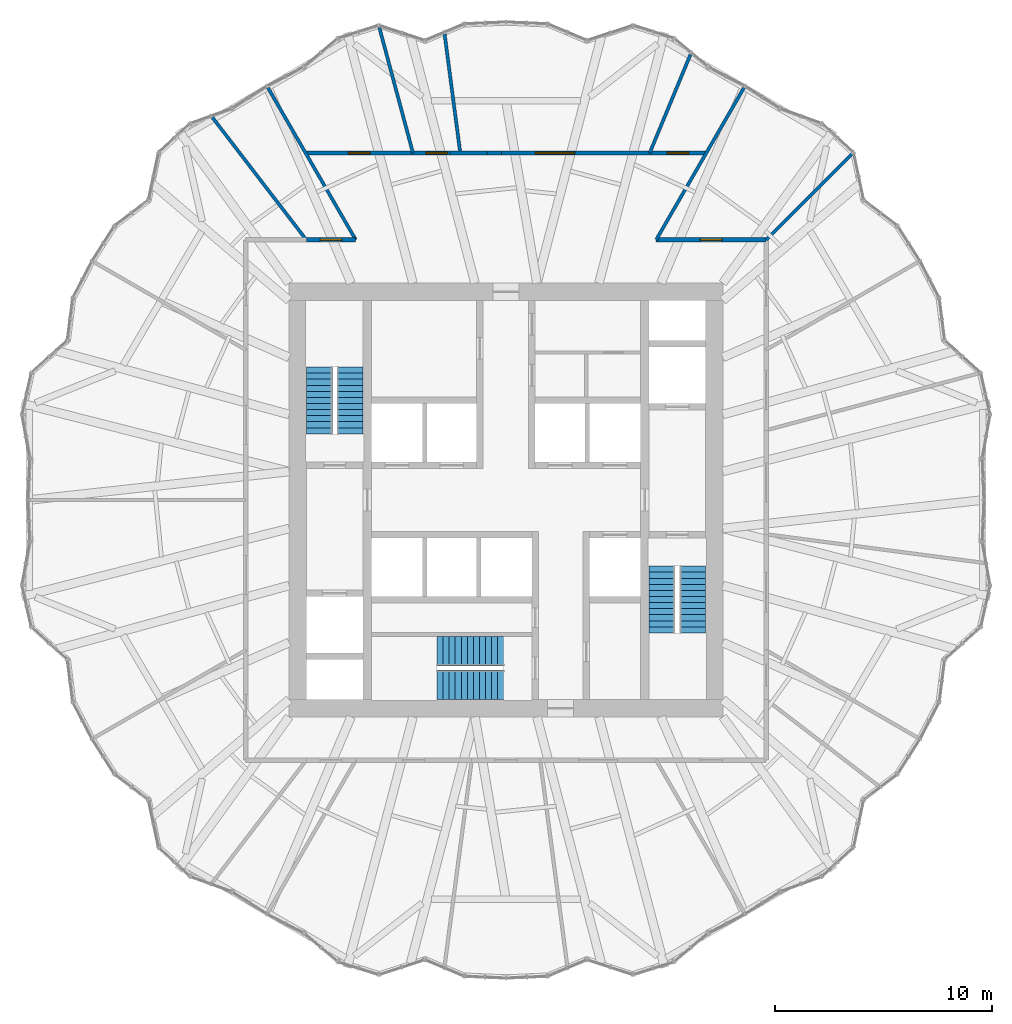
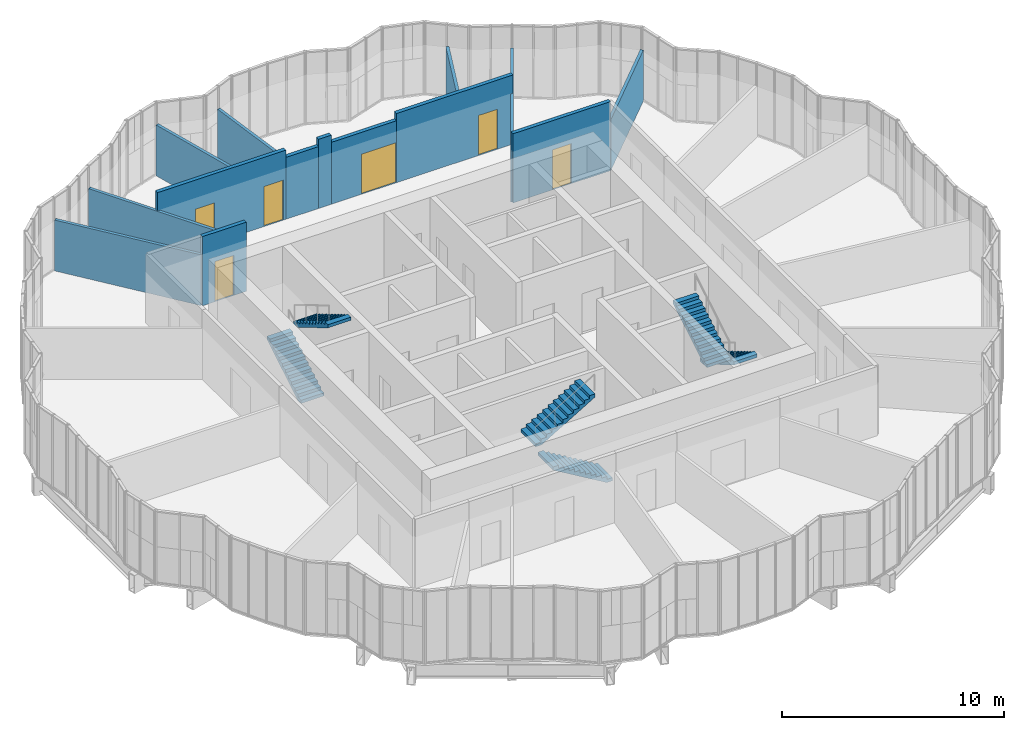
# One storey, part 22 of 23: 14 walls, 6 doors, 6 stair flights, 6 openings, 3 elements without a shape of their own.
"""IFC4 building model written with IfcOpenShell, lengths in metres."""

from ifc_helpers import new_model, si_unit, direction, frame, frame_2d, origin, place, context, subcontext, project, spatial, polyline, rectangle, outline, extrude, material, layer, layer_set, type_object, element, fill, aggregate, save


model = new_model("IFC4")

# Units and contexts
model_context = context("Model", 3, precision=1e-05, world=origin(), true_north=direction((0.0, 1.0)))
body_context = subcontext(model_context, "Body", "Model", "MODEL_VIEW")
ifc_project = project(units=[si_unit("LENGTHUNIT", "METRE"), si_unit("AREAUNIT", "SQUARE_METRE"), si_unit("VOLUMEUNIT", "CUBIC_METRE"), si_unit("PLANEANGLEUNIT", "RADIAN"), si_unit("MASSUNIT", "GRAM", prefix="KILO")], contexts=[model_context])

# Site, building, storey
site_placement = place(None, origin())
site = spatial("IfcSite", under=ifc_project, at=site_placement, CompositionType="ELEMENT")
building_placement = place(site_placement, origin())
building = spatial("IfcBuilding", under=site, at=building_placement, Name="Golbaran Civic Tower", CompositionType="ELEMENT")
storey_placement = place(building_placement, frame((0.0, 0.0, 33.0)))
storey = spatial("IfcBuildingStorey", under=building, at=storey_placement, Name="L07", CompositionType="ELEMENT", Elevation=33.0)

# Wall, opening, door
ifc_material_1 = material(Name="Gypsum board on steel studs, fire-rated", Category="steel")
ifc_layer_1 = layer(ifc_material_1, 0.199951171875, Name="Gypsum board on steel studs, fire-rated")
ifc_layer_set_1 = layer_set([ifc_layer_1], Name="Gypsum board on steel studs, fire-rated")
wall_type_1 = type_object("IfcWallType", Name="CORRIDOR WALL 200", PredefinedType="PARTITIONING", material=ifc_layer_set_1)
wall_1_placement = place(storey_placement, frame((12.0, 12.0, 0.0), z_axis=(0.0, 0.0, 1.0), x_axis=(-1.0, 0.0, 0.0)))
wall_1 = element("IfcWall", 1, at=wall_1_placement, inside=storey, type_object=wall_type_1, Name="Corridor wall L07", PredefinedType="PARTITIONING", context=body_context, shape_type="SweptSolid", body=[
    extrude(rectangle(XDim=5.07177734375, YDim=0.199951171875, at=frame_2d((2.535888671875, 0.0))), origin(), (0.0, 0.0, 1.0), 3.800048828125),
])
opening_1_placement = place(wall_1_placement, frame((2.035888671875, 0.0, 0.0)))
opening_1 = element("IfcOpeningElement", 2, at=opening_1_placement, cuts=wall_1, Name="Opening L07.09", PredefinedType="OPENING", context=body_context, shape_type="SweptSolid", body=[
    extrude(rectangle(XDim=1.0, YDim=2.199951171875, at=frame_2d((0.5, 1.10009765625))), frame((0.0, 0.10986328125, 0.0), z_axis=(0.0, -1.0, 0.0), x_axis=(1.0, 0.0, 0.0)), (0.0, 0.0, 1.0), 0.219970703125),
])
ifc_material_2 = material(Name="Timber door set in steel frame", Category="steel")
door_type_1 = type_object("IfcDoorType", Name="OFFICE DOOR 1000x2200", OperationType="SINGLE_SWING_LEFT", PredefinedType="DOOR", material=ifc_material_2)
door_1_placement = place(opening_1_placement, origin())
door_1 = element("IfcDoor", 3, at=door_1_placement, inside=storey, type_object=door_type_1, Name="Pantry door L07", OperationType="SINGLE_SWING_RIGHT", OverallHeight=2.199951171875, OverallWidth=1.0, PredefinedType="DOOR", context=body_context, shape_type="SweptSolid", body=[
    extrude(rectangle(XDim=1.0, YDim=2.199951171875, at=frame_2d((0.5, 1.10009765625))), frame((0.0, 0.02490234375, 0.0), z_axis=(0.0, -1.0, 0.0), x_axis=(1.0, 0.0, 0.0)), (0.0, 0.0, 1.0), 0.050048828125),
])
fill(opening_1, door_1)

wall_2_placement = place(storey_placement, frame((-6.92822265625, 12.0, 0.0), z_axis=(0.0, 0.0, 1.0), x_axis=(-1.0, 0.0, 0.0)))
wall_2 = element("IfcWall", 4, at=wall_2_placement, inside=storey, type_object=wall_type_1, Name="Corridor wall L07", PredefinedType="PARTITIONING", context=body_context, shape_type="SweptSolid", body=[
    extrude(rectangle(XDim=2.27978515625, YDim=0.199951171875, at=frame_2d((1.139892578125, 0.0))), origin(), (0.0, 0.0, 1.0), 3.800048828125),
])
opening_2_placement = place(wall_2_placement, frame((0.639892578125, 0.0, 0.0)))
opening_2 = element("IfcOpeningElement", 5, at=opening_2_placement, cuts=wall_2, Name="Opening L07.10", PredefinedType="OPENING", context=body_context, shape_type="SweptSolid", body=[
    extrude(rectangle(XDim=1.0, YDim=2.199951171875, at=frame_2d((0.5, 1.10009765625))), frame((0.0, 0.10986328125, 0.0), z_axis=(0.0, -1.0, 0.0), x_axis=(1.0, 0.0, 0.0)), (0.0, 0.0, 1.0), 0.219970703125),
])
door_2_placement = place(opening_2_placement, origin())
door_2 = element("IfcDoor", 6, at=door_2_placement, inside=storey, type_object=door_type_1, Name="Store door L07", OperationType="SINGLE_SWING_RIGHT", OverallHeight=2.199951171875, OverallWidth=1.0, PredefinedType="DOOR", context=body_context, shape_type="SweptSolid", body=[
    extrude(rectangle(XDim=1.0, YDim=2.199951171875, at=frame_2d((0.5, 1.10009765625))), frame((0.0, 0.02490234375, 0.0), z_axis=(0.0, -1.0, 0.0), x_axis=(1.0, 0.0, 0.0)), (0.0, 0.0, 1.0), 0.050048828125),
])
fill(opening_2, door_2)

ifc_material_3 = material(Name="Gypsum board on steel studs, fire-rated, glazed panels", Category="steel")
ifc_layer_2 = layer(ifc_material_3, 0.199951171875, Name="Gypsum board on steel studs, fire-rated, glazed panels")
ifc_layer_set_2 = layer_set([ifc_layer_2], Name="Gypsum board on steel studs, fire-rated, glazed panels")
wall_type_2 = type_object("IfcWallType", Name="GALLERY WALL 200", PredefinedType="PARTITIONING", material=ifc_layer_set_2)
wall_3_placement = place(storey_placement, frame((9.237548828125, 16.0, 0.0), z_axis=(0.0, 0.0, 1.0), x_axis=(-1.0, 0.0, 0.0)))
wall_3 = element("IfcWall", 7, at=wall_3_placement, inside=storey, type_object=wall_type_2, Name="Gallery wall L07", PredefinedType="PARTITIONING", context=body_context, shape_type="SweptSolid", body=[
    extrude(rectangle(XDim=6.05712890625, YDim=0.199951171875, at=frame_2d((3.028564453125, 0.0))), origin(), (0.0, 0.0, 1.0), 3.800048828125),
])
opening_3_placement = place(wall_3_placement, frame((0.80517578125, 0.0, 0.0)))
opening_3 = element("IfcOpeningElement", 8, at=opening_3_placement, cuts=wall_3, Name="Opening L07.01", PredefinedType="OPENING", context=body_context, shape_type="SweptSolid", body=[
    extrude(rectangle(XDim=1.0, YDim=2.199951171875, at=frame_2d((0.5, 1.10009765625))), frame((0.0, 0.10986328125, 0.0), z_axis=(0.0, -1.0, 0.0), x_axis=(1.0, 0.0, 0.0)), (0.0, 0.0, 1.0), 0.219970703125),
])
door_3_placement = place(opening_3_placement, origin())
door_3 = element("IfcDoor", 9, at=door_3_placement, inside=storey, type_object=door_type_1, Name="Office door L07", OperationType="SINGLE_SWING_LEFT", OverallHeight=2.199951171875, OverallWidth=1.0, PredefinedType="DOOR", context=body_context, shape_type="SweptSolid", body=[
    extrude(rectangle(XDim=1.0, YDim=2.199951171875, at=frame_2d((0.5, 1.10009765625))), frame((0.0, 0.02490234375, 0.0), z_axis=(0.0, -1.0, 0.0), x_axis=(1.0, 0.0, 0.0)), (0.0, 0.0, 1.0), 0.050048828125),
])
fill(opening_3, door_3)

wall_4_placement = place(storey_placement, frame((3.180419921875, 16.0, 0.0), z_axis=(0.0, 0.0, 1.0), x_axis=(-1.0, 0.0, 0.0)))
wall_4 = element("IfcWall", 10, at=wall_4_placement, inside=storey, type_object=wall_type_2, Name="Gallery wall L07 (part 2)", PredefinedType="PARTITIONING", context=body_context, shape_type="SweptSolid", body=[
    extrude(rectangle(XDim=3.37890625, YDim=0.199951171875, at=frame_2d((1.689453125, 0.0))), origin(), (0.0, 0.0, 1.0), 3.39990234375),
])
opening_4_placement = place(wall_4_placement, frame((0.02001953125, 0.0, 0.0)))
opening_4 = element("IfcOpeningElement", 11, at=opening_4_placement, cuts=wall_4, Name="Opening L07.02", PredefinedType="OPENING", context=body_context, shape_type="SweptSolid", body=[
    extrude(rectangle(XDim=1.800048828125, YDim=2.199951171875, at=frame_2d((0.89990234375, 1.10009765625))), frame((0.0, 0.10986328125, 0.0), z_axis=(0.0, -1.0, 0.0), x_axis=(1.0, 0.0, 0.0)), (0.0, 0.0, 1.0), 0.219970703125),
])
door_type_2 = type_object("IfcDoorType", Name="OFFICE DOUBLE DOOR 1800x2200", OperationType="DOUBLE_DOOR_SINGLE_SWING", PredefinedType="DOOR", material=ifc_material_2)
door_4_placement = place(opening_4_placement, origin())
door_4 = element("IfcDoor", 12, at=door_4_placement, inside=storey, type_object=door_type_2, Name="Office door L07", OperationType="DOUBLE_DOOR_SINGLE_SWING", OverallHeight=2.199951171875, OverallWidth=1.800048828125, PredefinedType="DOOR", context=body_context, shape_type="SweptSolid", body=[
    extrude(rectangle(XDim=1.800048828125, YDim=2.199951171875, at=frame_2d((0.89990234375, 1.10009765625))), frame((0.0, 0.02490234375, 0.0), z_axis=(0.0, -1.0, 0.0), x_axis=(1.0, 0.0, 0.0)), (0.0, 0.0, 1.0), 0.050048828125),
])
fill(opening_4, door_4)

# Walls
wall_5_placement = place(storey_placement, frame((-0.198486328125, 16.0, 0.0), z_axis=(0.0, 0.0, 1.0), x_axis=(-1.0, 0.0, 0.0)))
element("IfcWall", 13, at=wall_5_placement, inside=storey, type_object=wall_type_2, Name="Gallery wall L07 (part 3)", PredefinedType="PARTITIONING", context=body_context, shape_type="SweptSolid", body=[
    extrude(rectangle(XDim=0.6669921875, YDim=0.199951171875, at=frame_2d((0.33349609375, 0.0))), origin(), (0.0, 0.0, 1.0), 3.800048828125),
])
wall_6_placement = place(storey_placement, frame((-0.865478515625, 16.0, 0.0), z_axis=(0.0, 0.0, 1.0), x_axis=(-1.0, 0.0, 0.0)))
element("IfcWall", 14, at=wall_6_placement, inside=storey, type_object=wall_type_2, Name="Gallery wall L07 (part 4)", PredefinedType="PARTITIONING", context=body_context, shape_type="SweptSolid", body=[
    extrude(rectangle(XDim=1.706787109375, YDim=0.199951171875, at=frame_2d((0.853515625, 0.0))), origin(), (0.0, 0.0, 1.0), 3.39990234375),
])

# Wall, openings, doors
wall_7_placement = place(storey_placement, frame((-2.572265625, 16.0, 0.0), z_axis=(0.0, 0.0, 1.0), x_axis=(-1.0, 0.0, 0.0)))
wall_7 = element("IfcWall", 15, at=wall_7_placement, inside=storey, type_object=wall_type_2, Name="Gallery wall L07 (part 5)", PredefinedType="PARTITIONING", context=body_context, shape_type="SweptSolid", body=[
    extrude(rectangle(XDim=6.665283203125, YDim=0.199951171875, at=frame_2d((3.33251953125, 0.0))), origin(), (0.0, 0.0, 1.0), 3.800048828125),
])
opening_5_placement = place(wall_7_placement, frame((0.12451171875, 0.0, 0.0)))
opening_5 = element("IfcOpeningElement", 16, at=opening_5_placement, cuts=wall_7, Name="Opening L07.03", PredefinedType="OPENING", context=body_context, shape_type="SweptSolid", body=[
    extrude(rectangle(XDim=1.0, YDim=2.199951171875, at=frame_2d((0.5, 1.10009765625))), frame((0.0, 0.10986328125, 0.0), z_axis=(0.0, -1.0, 0.0), x_axis=(1.0, 0.0, 0.0)), (0.0, 0.0, 1.0), 0.219970703125),
])
opening_6_placement = place(wall_7_placement, frame((3.68994140625, 0.0, 0.0)))
opening_6 = element("IfcOpeningElement", 17, at=opening_6_placement, cuts=wall_7, Name="Opening L07.04", PredefinedType="OPENING", context=body_context, shape_type="SweptSolid", body=[
    extrude(rectangle(XDim=1.0, YDim=2.199951171875, at=frame_2d((0.5, 1.10009765625))), frame((0.0, 0.10986328125, 0.0), z_axis=(0.0, -1.0, 0.0), x_axis=(1.0, 0.0, 0.0)), (0.0, 0.0, 1.0), 0.219970703125),
])
door_5_placement = place(opening_5_placement, origin())
door_5 = element("IfcDoor", 18, at=door_5_placement, inside=storey, type_object=door_type_1, Name="Office door L07", OperationType="SINGLE_SWING_RIGHT", OverallHeight=2.199951171875, OverallWidth=1.0, PredefinedType="DOOR", context=body_context, shape_type="SweptSolid", body=[
    extrude(rectangle(XDim=1.0, YDim=2.199951171875, at=frame_2d((0.5, 1.10009765625))), frame((0.0, 0.02490234375, 0.0), z_axis=(0.0, -1.0, 0.0), x_axis=(1.0, 0.0, 0.0)), (0.0, 0.0, 1.0), 0.050048828125),
])
fill(opening_5, door_5)
door_6_placement = place(opening_6_placement, origin())
door_6 = element("IfcDoor", 19, at=door_6_placement, inside=storey, type_object=door_type_1, Name="Office door L07", OperationType="SINGLE_SWING_RIGHT", OverallHeight=2.199951171875, OverallWidth=1.0, PredefinedType="DOOR", context=body_context, shape_type="SweptSolid", body=[
    extrude(rectangle(XDim=1.0, YDim=2.199951171875, at=frame_2d((0.5, 1.10009765625))), frame((0.0, 0.02490234375, 0.0), z_axis=(0.0, -1.0, 0.0), x_axis=(1.0, 0.0, 0.0)), (0.0, 0.0, 1.0), 0.050048828125),
])
fill(opening_6, door_6)

# Walls
ifc_material_4 = material(Name="Gypsum board on steel studs", Category="steel")
ifc_layer_3 = layer(ifc_material_4, 0.14990234375, Name="Gypsum board on steel studs")
ifc_layer_set_3 = layer_set([ifc_layer_3], Name="Gypsum board on steel studs")
wall_type_3 = type_object("IfcWallType", Name="OFFICE PARTITION 150", PredefinedType="PARTITIONING", material=ifc_layer_set_3)
wall_8_placement = place(storey_placement, frame((12.0, 12.0, 0.0), z_axis=(0.0, 0.0, 1.0), x_axis=(0.707106781187, 0.707106781187, 0.0)))
element("IfcWall", 20, at=wall_8_placement, inside=storey, type_object=wall_type_3, Name="Partition 45 L07", PredefinedType="PARTITIONING", context=body_context, shape_type="SweptSolid", body=[
    extrude(rectangle(XDim=5.60302734375, YDim=0.14990234375, at=frame_2d((2.801513671875, 0.0))), origin(), (0.0, 0.0, 1.0), 2.7900390625),
])
for number, where, z_axis, x_axis, name in (
    (21, (6.92822265625, 12.0, 0.0), (0.0, 0.0, 1.0), (0.500007814618, 0.866020891966, 0.0), "Partition 60 L07"),
    (22, (-6.92822265625, 12.0, 0.0), (0.0, 0.0, 1.0), (-0.500007814618, 0.866020891966, 0.0), "Partition 120 L07"),
):
    element("IfcWall", number, at=place(storey_placement, frame(where, z_axis=z_axis, x_axis=x_axis)), inside=storey, type_object=wall_type_3, Name=name, PredefinedType="PARTITIONING", context=body_context, shape_type="SweptSolid", body=[
        extrude(rectangle(XDim=8.096923828125, YDim=0.14990234375, at=frame_2d((4.04833984375, 0.0))), origin(), (0.0, 0.0, 1.0), 2.7900390625),
    ])
wall_9_placement = place(storey_placement, frame((-9.2080078125, 12.0, 0.0), z_axis=(0.0, 0.0, 1.0), x_axis=(-0.608751461293, 0.793360988689, 0.0)))
element("IfcWall", 23, at=wall_9_placement, inside=storey, type_object=wall_type_3, Name="Partition 127.5 L07", PredefinedType="PARTITIONING", context=body_context, shape_type="SweptSolid", body=[
    extrude(rectangle(XDim=7.1123046875, YDim=0.14990234375, at=frame_2d((3.55615234375, 0.0))), origin(), (0.0, 0.0, 1.0), 2.7900390625),
])
wall_10_placement = place(storey_placement, frame((6.62744140625, 16.0, 0.0), z_axis=(0.0, 0.0, 1.0), x_axis=(0.38266590054, 0.923886794236, 0.0)))
element("IfcWall", 24, at=wall_10_placement, inside=storey, type_object=wall_type_3, Name="Partition 67.5 L07", PredefinedType="PARTITIONING", context=body_context, shape_type="SweptSolid", body=[
    extrude(rectangle(XDim=4.919677734375, YDim=0.14990234375, at=frame_2d((2.4599609375, 0.0))), origin(), (0.0, 0.0, 1.0), 2.7900390625),
])
wall_11_placement = place(storey_placement, frame((-2.1064453125, 16.0, 0.0), z_axis=(0.0, 0.0, 1.0), x_axis=(-0.130538988536, 0.991443176623, 0.0)))
element("IfcWall", 25, at=wall_11_placement, inside=storey, type_object=wall_type_3, Name="Partition 97.5 L07", PredefinedType="PARTITIONING", context=body_context, shape_type="SweptSolid", body=[
    extrude(rectangle(XDim=5.5322265625, YDim=0.14990234375, at=frame_2d((2.76611328125, 0.0))), origin(), (0.0, 0.0, 1.0), 2.7900390625),
])
wall_12_placement = place(storey_placement, frame((-4.287109375, 16.0, 0.0), z_axis=(0.0, 0.0, 1.0), x_axis=(-0.258838299425, 0.965920666903, 0.0)))
element("IfcWall", 26, at=wall_12_placement, inside=storey, type_object=wall_type_3, Name="Partition 105 L07", PredefinedType="PARTITIONING", context=body_context, shape_type="SweptSolid", body=[
    extrude(rectangle(XDim=6.00927734375, YDim=0.14990234375, at=frame_2d((3.004638671875, 0.0))), origin(), (0.0, 0.0, 1.0), 2.7900390625),
])

# Stair, stair flights
ifc_material_5 = material(Name="Concrete C35/45", Category="concrete")
stair_type_1 = type_object("IfcStairType", Name="EXIT STAIR 2600 x 7450, 4000 RISE", PredefinedType="HALF_TURN_STAIR", material=ifc_material_5)
stair_1_placement = place(storey_placement, origin())
stair_1 = element("IfcStair", 27, at=stair_1_placement, inside=storey, type_object=stair_type_1, Name="Stair S1 L07", PredefinedType="HALF_TURN_STAIR")
stair_flight_type_1 = type_object("IfcStairFlightType", Name="STAIR FLIGHT 1200 WIDE", PredefinedType="STRAIGHT", material=ifc_material_5)
stair_flight_1_placement = place(storey_placement, frame((-8.60009765625, 3.050048828125, 0.0), z_axis=(0.0, 0.0, 1.0), x_axis=(0.0, 1.0, 0.0)))
stair_flight_1 = element("IfcStairFlight", 28, at=stair_flight_1_placement, type_object=stair_flight_type_1, Name="ST26074-40 flight 1", NumberOfRisers=12, NumberOfTreads=11, PredefinedType="STRAIGHT", RiserHeight=0.166666667, TreadLength=0.28, context=body_context, shape_type="SweptSolid", body=[
    extrude(outline(polyline([(0.0, 0.0), (0.0, 0.166748046875), (0.280029296875, 0.166748046875), (0.280029296875, 0.333251953125), (0.56005859375, 0.333251953125), (0.56005859375, 0.5), (0.840087890625, 0.5), (0.840087890625, 0.666748046875), (1.1201171875, 0.666748046875), (1.1201171875, 0.833251953125), (1.39990234375, 0.833251953125), (1.39990234375, 1.0), (1.679931640625, 1.0), (1.679931640625, 1.166748046875), (1.9599609375, 1.166748046875), (1.9599609375, 1.333251953125), (2.239990234375, 1.333251953125), (2.239990234375, 1.5), (2.52001953125, 1.5), (2.52001953125, 1.666748046875), (2.800048828125, 1.666748046875), (2.800048828125, 1.833251953125), (3.080078125, 1.833251953125), (3.080078125, 2.0), (3.080078125, 1.658935546875), (0.29296875, 0.0), (0.0, 0.0)])), frame((0.0, 0.60009765625, 0.0), z_axis=(0.0, -1.0, 0.0), x_axis=(1.0, 0.0, 0.0)), (0.0, 0.0, 1.0), 1.199951171875),
])
stair_flight_2_placement = place(storey_placement, frame((-7.199951171875, 6.1298828125, 2.0), z_axis=(0.0, 0.0, 1.0), x_axis=(0.0, -1.0, 0.0)))
stair_flight_2 = element("IfcStairFlight", 29, at=stair_flight_2_placement, type_object=stair_flight_type_1, Name="ST26074-40 flight 2", NumberOfRisers=12, NumberOfTreads=11, PredefinedType="STRAIGHT", RiserHeight=0.166666667, TreadLength=0.28, context=body_context, shape_type="SweptSolid", body=[
    extrude(outline(polyline([(0.0, 0.0), (0.0, 0.166748046875), (0.280029296875, 0.166748046875), (0.280029296875, 0.333251953125), (0.56005859375, 0.333251953125), (0.56005859375, 0.5), (0.840087890625, 0.5), (0.840087890625, 0.666748046875), (1.1201171875, 0.666748046875), (1.1201171875, 0.833251953125), (1.39990234375, 0.833251953125), (1.39990234375, 1.0), (1.679931640625, 1.0), (1.679931640625, 1.166748046875), (1.9599609375, 1.166748046875), (1.9599609375, 1.333251953125), (2.239990234375, 1.333251953125), (2.239990234375, 1.5), (2.52001953125, 1.5), (2.52001953125, 1.666748046875), (2.800048828125, 1.666748046875), (2.800048828125, 1.833251953125), (3.080078125, 1.833251953125), (3.080078125, 2.0), (3.080078125, 1.658935546875), (0.29296875, 0.0), (0.0, 0.0)])), frame((0.0, 0.60009765625, 0.0), z_axis=(0.0, -1.0, 0.0), x_axis=(1.0, 0.0, 0.0)), (0.0, 0.0, 1.0), 1.199951171875),
])
aggregate(stair_1, [stair_flight_1, stair_flight_2])

stair_2_placement = place(storey_placement, origin())
stair_2 = element("IfcStair", 30, at=stair_2_placement, inside=storey, type_object=stair_type_1, Name="Stair S2 L07", PredefinedType="HALF_TURN_STAIR")
stair_flight_3_placement = place(storey_placement, frame((8.60009765625, -3.050048828125, 0.0), z_axis=(0.0, 0.0, 1.0), x_axis=(0.0, -1.0, 0.0)))
stair_flight_3 = element("IfcStairFlight", 31, at=stair_flight_3_placement, type_object=stair_flight_type_1, Name="ST26074-40 flight 1", NumberOfRisers=12, NumberOfTreads=11, PredefinedType="STRAIGHT", RiserHeight=0.166666667, TreadLength=0.28, context=body_context, shape_type="SweptSolid", body=[
    extrude(outline(polyline([(0.0, 0.0), (0.0, 0.166748046875), (0.280029296875, 0.166748046875), (0.280029296875, 0.333251953125), (0.56005859375, 0.333251953125), (0.56005859375, 0.5), (0.840087890625, 0.5), (0.840087890625, 0.666748046875), (1.1201171875, 0.666748046875), (1.1201171875, 0.833251953125), (1.39990234375, 0.833251953125), (1.39990234375, 1.0), (1.679931640625, 1.0), (1.679931640625, 1.166748046875), (1.9599609375, 1.166748046875), (1.9599609375, 1.333251953125), (2.239990234375, 1.333251953125), (2.239990234375, 1.5), (2.52001953125, 1.5), (2.52001953125, 1.666748046875), (2.800048828125, 1.666748046875), (2.800048828125, 1.833251953125), (3.080078125, 1.833251953125), (3.080078125, 2.0), (3.080078125, 1.658935546875), (0.29296875, 0.0), (0.0, 0.0)])), frame((0.0, 0.60009765625, 0.0), z_axis=(0.0, -1.0, 0.0), x_axis=(1.0, 0.0, 0.0)), (0.0, 0.0, 1.0), 1.199951171875),
])
stair_flight_4_placement = place(storey_placement, frame((7.199951171875, -6.1298828125, 2.0), z_axis=(0.0, 0.0, 1.0), x_axis=(0.0, 1.0, 0.0)))
stair_flight_4 = element("IfcStairFlight", 32, at=stair_flight_4_placement, type_object=stair_flight_type_1, Name="ST26074-40 flight 2", NumberOfRisers=12, NumberOfTreads=11, PredefinedType="STRAIGHT", RiserHeight=0.166666667, TreadLength=0.28, context=body_context, shape_type="SweptSolid", body=[
    extrude(outline(polyline([(0.0, 0.0), (0.0, 0.166748046875), (0.280029296875, 0.166748046875), (0.280029296875, 0.333251953125), (0.56005859375, 0.333251953125), (0.56005859375, 0.5), (0.840087890625, 0.5), (0.840087890625, 0.666748046875), (1.1201171875, 0.666748046875), (1.1201171875, 0.833251953125), (1.39990234375, 0.833251953125), (1.39990234375, 1.0), (1.679931640625, 1.0), (1.679931640625, 1.166748046875), (1.9599609375, 1.166748046875), (1.9599609375, 1.333251953125), (2.239990234375, 1.333251953125), (2.239990234375, 1.5), (2.52001953125, 1.5), (2.52001953125, 1.666748046875), (2.800048828125, 1.666748046875), (2.800048828125, 1.833251953125), (3.080078125, 1.833251953125), (3.080078125, 2.0), (3.080078125, 1.658935546875), (0.29296875, 0.0), (0.0, 0.0)])), frame((0.0, 0.60009765625, 0.0), z_axis=(0.0, -1.0, 0.0), x_axis=(1.0, 0.0, 0.0)), (0.0, 0.0, 1.0), 1.199951171875),
])
aggregate(stair_2, [stair_flight_3, stair_flight_4])

stair_type_2 = type_object("IfcStairType", Name="EXIT STAIR 2900 x 7400, 4000 RISE", PredefinedType="HALF_TURN_STAIR", material=ifc_material_5)
stair_3_placement = place(storey_placement, origin())
stair_3 = element("IfcStair", 33, at=stair_3_placement, inside=storey, type_object=stair_type_2, Name="Stair S3 L07", PredefinedType="HALF_TURN_STAIR")
stair_flight_type_2 = type_object("IfcStairFlightType", Name="STAIR FLIGHT 1350 WIDE", PredefinedType="STRAIGHT", material=ifc_material_5)
stair_flight_5_placement = place(storey_placement, frame((-0.10009765625, -8.52490234375, 0.0), z_axis=(0.0, 0.0, 1.0), x_axis=(-1.0, 0.0, 0.0)))
stair_flight_5 = element("IfcStairFlight", 34, at=stair_flight_5_placement, type_object=stair_flight_type_2, Name="ST29074-40 flight 1", NumberOfRisers=12, NumberOfTreads=11, PredefinedType="STRAIGHT", RiserHeight=0.166666667, TreadLength=0.28, context=body_context, shape_type="SweptSolid", body=[
    extrude(outline(polyline([(0.0, 0.0), (0.0, 0.166748046875), (0.280029296875, 0.166748046875), (0.280029296875, 0.333251953125), (0.56005859375, 0.333251953125), (0.56005859375, 0.5), (0.840087890625, 0.5), (0.840087890625, 0.666748046875), (1.1201171875, 0.666748046875), (1.1201171875, 0.833251953125), (1.39990234375, 0.833251953125), (1.39990234375, 1.0), (1.679931640625, 1.0), (1.679931640625, 1.166748046875), (1.9599609375, 1.166748046875), (1.9599609375, 1.333251953125), (2.239990234375, 1.333251953125), (2.239990234375, 1.5), (2.52001953125, 1.5), (2.52001953125, 1.666748046875), (2.800048828125, 1.666748046875), (2.800048828125, 1.833251953125), (3.080078125, 1.833251953125), (3.080078125, 2.0), (3.080078125, 1.658935546875), (0.29296875, 0.0), (0.0, 0.0)])), frame((0.0, 0.675048828125, 0.0), z_axis=(0.0, -1.0, 0.0), x_axis=(1.0, 0.0, 0.0)), (0.0, 0.0, 1.0), 1.35009765625),
])
stair_flight_6_placement = place(storey_placement, frame((-3.179931640625, -6.97509765625, 2.0), z_axis=(0.0, 0.0, 1.0), x_axis=(1.0, 0.0, 0.0)))
stair_flight_6 = element("IfcStairFlight", 35, at=stair_flight_6_placement, type_object=stair_flight_type_2, Name="ST29074-40 flight 2", NumberOfRisers=12, NumberOfTreads=11, PredefinedType="STRAIGHT", RiserHeight=0.166666667, TreadLength=0.28, context=body_context, shape_type="SweptSolid", body=[
    extrude(outline(polyline([(0.0, 0.0), (0.0, 0.166748046875), (0.280029296875, 0.166748046875), (0.280029296875, 0.333251953125), (0.56005859375, 0.333251953125), (0.56005859375, 0.5), (0.840087890625, 0.5), (0.840087890625, 0.666748046875), (1.1201171875, 0.666748046875), (1.1201171875, 0.833251953125), (1.39990234375, 0.833251953125), (1.39990234375, 1.0), (1.679931640625, 1.0), (1.679931640625, 1.166748046875), (1.9599609375, 1.166748046875), (1.9599609375, 1.333251953125), (2.239990234375, 1.333251953125), (2.239990234375, 1.5), (2.52001953125, 1.5), (2.52001953125, 1.666748046875), (2.800048828125, 1.666748046875), (2.800048828125, 1.833251953125), (3.080078125, 1.833251953125), (3.080078125, 2.0), (3.080078125, 1.658935546875), (0.29296875, 0.0), (0.0, 0.0)])), frame((0.0, 0.675048828125, 0.0), z_axis=(0.0, -1.0, 0.0), x_axis=(1.0, 0.0, 0.0)), (0.0, 0.0, 1.0), 1.35009765625),
])
aggregate(stair_3, [stair_flight_5, stair_flight_6])

save(model, "model.ifc")
